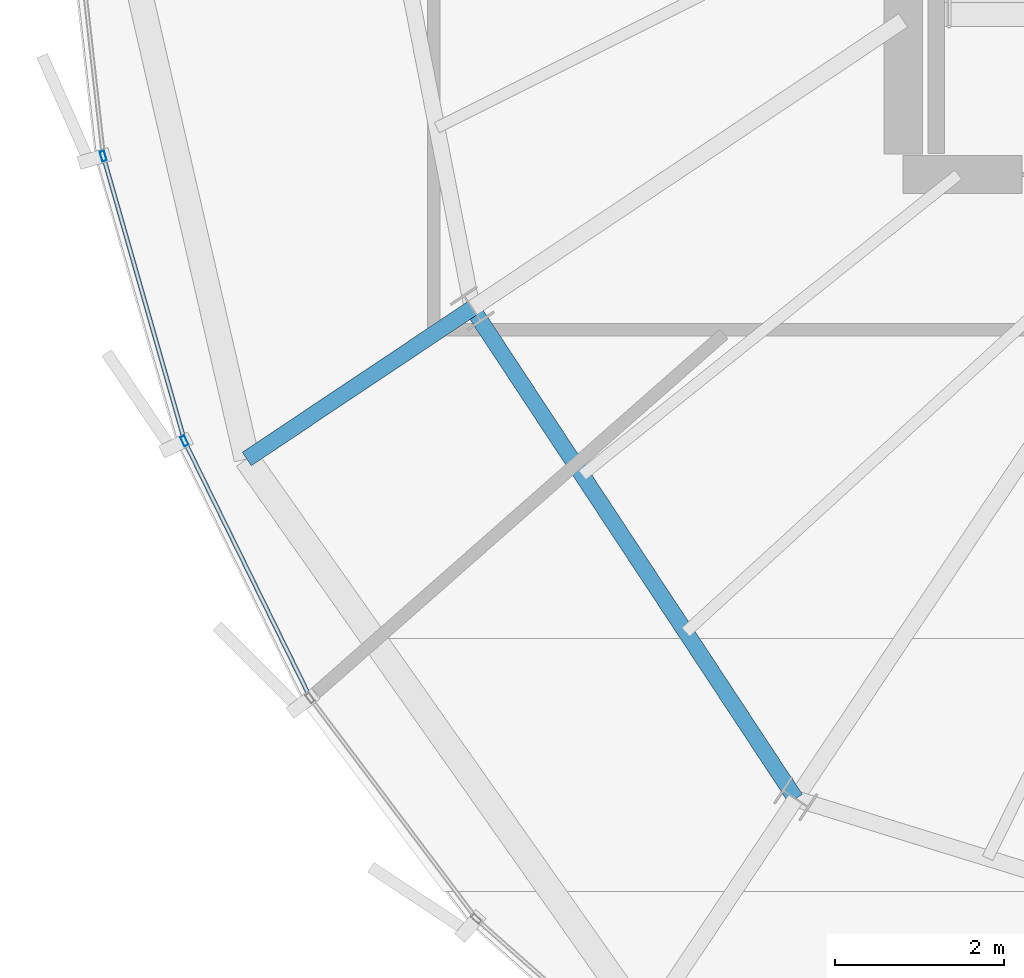
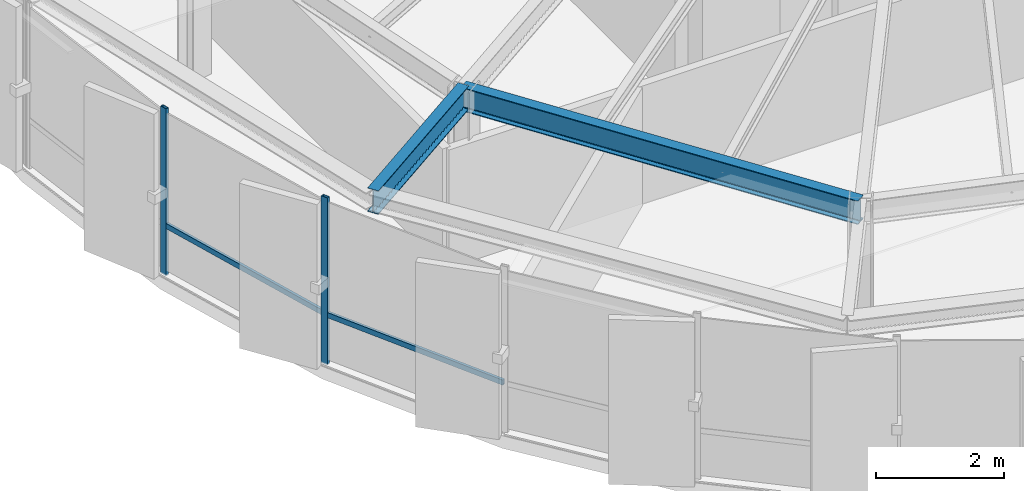
# One storey, part 4 of 31: 4 members, 2 beams, 1 element without a shape of its own.
"""IFC4 building model written with IfcOpenShell, lengths in metres."""

from ifc_helpers import new_model, si_unit, direction, frame, origin, origin_2d, place, context, subcontext, project, spatial, hollow_rectangle, i_section, extrude, source, transform, mapped, material, layer, layer_set, material_profile, profile_set, type_object, element, aggregate, save


model = new_model("IFC4")

# Units and contexts
model_context = context("Model", 3, precision=1e-05, world=origin(), true_north=direction((0.0, 1.0)))
body_context = subcontext(model_context, "Body", "Model", "MODEL_VIEW")
ifc_project = project(units=[si_unit("LENGTHUNIT", "METRE"), si_unit("AREAUNIT", "SQUARE_METRE"), si_unit("VOLUMEUNIT", "CUBIC_METRE"), si_unit("PLANEANGLEUNIT", "RADIAN"), si_unit("MASSUNIT", "GRAM", prefix="KILO"), si_unit("THERMODYNAMICTEMPERATUREUNIT", "KELVIN")], contexts=[model_context])

# Site, building, storey
site_placement = place(None, origin())
site = spatial("IfcSite", under=ifc_project, at=site_placement, CompositionType="ELEMENT")
building_placement = place(site_placement, origin())
building = spatial("IfcBuilding", under=site, at=building_placement, Name="Kethvar Cultural Tower", CompositionType="ELEMENT")
storey_placement = place(building_placement, frame((0.0, 0.0, 300.85009765625)))
storey = spatial("IfcBuildingStorey", under=building, at=storey_placement, Name="L80", CompositionType="ELEMENT", Elevation=300.85009765625)

# Beams
ifc_material_1 = material(Name="Steel S355J2", Category="steel")
ifc_material_profile_1 = material_profile(ifc_material_1, i_section(OverallWidth=0.18994140625, OverallDepth=0.449951171875, WebThickness=0.009521484375, FlangeThickness=0.0146484375, FilletRadius=0.02099609375, at=origin_2d()), Name="Steel S355J2 — IPE450")
ifc_profile_set_1 = profile_set([ifc_material_profile_1], Name="Steel S355J2 — IPE450")
beam_type = type_object("IfcBeamType", Name="BM-IPE450", PredefinedType="BEAM", material=ifc_profile_set_1)
shared_shape_1 = source(origin(), body_context, "Body", "SweptSolid", [
    extrude(i_section(OverallWidth=0.18994140625, OverallDepth=0.449951171875, WebThickness=0.009521484375, FlangeThickness=0.0146484375, FilletRadius=0.02099609375, at=origin_2d()), origin(), (0.0, 0.0, 1.0), 3.199951171875),
])
beam_1_placement = place(storey_placement, frame((32.912841796875, 18.52099609375, 2.9580078125), z_axis=(-0.831462943996, -0.555580212716, 0.0), x_axis=(0.555580212716, -0.831462943996, 0.0)))
element("IfcBeam", 1, at=beam_1_placement, inside=storey, type_object=beam_type, Name="L80 Perimeter Cantilever Beam RC-10", PredefinedType="BEAM", context=body_context, shape_type="MappedRepresentation", body=[
    mapped(shared_shape_1, transform((0.0, 0.0, 0.0), scale=1.0)),
])
shared_shape_2 = source(origin(), body_context, "Body", "SweptSolid", [
    extrude(i_section(OverallWidth=0.18994140625, OverallDepth=0.449951171875, WebThickness=0.009521484375, FlangeThickness=0.0146484375, FilletRadius=0.02099609375, at=origin_2d()), origin(), (0.0, 0.0, 1.0), 6.935791015625),
])
beam_2_placement = place(storey_placement, frame((32.912841796875, 18.52099609375, 2.9580078125), z_axis=(0.550534204139, -0.834812607759, 0.0), x_axis=(0.834812607759, 0.550534204139, 0.0)))
element("IfcBeam", 2, at=beam_2_placement, inside=storey, type_object=beam_type, Name="L80 Column Ring Tie Beam CR-10", PredefinedType="BEAM", context=body_context, shape_type="MappedRepresentation", body=[
    mapped(shared_shape_2, transform((0.0, 0.0, 0.0), scale=1.0)),
])

# Curtain wall, members
ifc_material_2 = material(Name="Aluminium 6063-T6", Category="aluminium")
ifc_layer = layer(ifc_material_2, 0.179931640625, Name="Aluminium 6063-T6", Category="aluminium")
ifc_layer_set = layer_set([ifc_layer], Name="Aluminium 6063-T6 (180 mm)")
curtain_wall_type = type_object("IfcCurtainWallType", Name="CW-SYS-05-Z56", PredefinedType="NOTDEFINED", material=ifc_layer_set)
curtain_wall_placement = place(storey_placement, origin())
curtain_wall = element("IfcCurtainWall", 3, at=curtain_wall_placement, inside=storey, type_object=curtain_wall_type, Name="L80 Curtain Wall Run 03", PredefinedType="NOTDEFINED")
ifc_material_profile_2 = material_profile(ifc_material_2, hollow_rectangle(XDim=0.054931640625, YDim=0.1201171875, WallThickness=0.00390625, at=origin_2d()), Name="Aluminium 6063-T6 — RHS120x55x4")
ifc_profile_set_2 = profile_set([ifc_material_profile_2], Name="Aluminium 6063-T6 — RHS120x55x4")
member_type_1 = type_object("IfcMemberType", Name="CW-SYS-05-Z56-MUL", PredefinedType="MULLION", material=ifc_profile_set_2)
shared_shape_3 = source(origin(), body_context, "Body", "SweptSolid", [
    extrude(hollow_rectangle(XDim=0.054931640625, YDim=0.1201171875, WallThickness=0.00390625, at=origin_2d()), origin(), (0.0, 0.0, 1.0), 3.184814453125),
])
member_1_placement = place(storey_placement, frame((28.55712890625, 20.318115234375, 0.0), z_axis=(0.0, 0.0, 1.0), x_axis=(0.961535434638, 0.274680920226, 0.0)))
member_1 = element("IfcMember", 4, at=member_1_placement, type_object=member_type_1, Name="CW-L80-R03 Mullion 2", PredefinedType="MULLION", context=body_context, shape_type="MappedRepresentation", body=[
    mapped(shared_shape_3, transform((0.0, 0.0, 0.0), scale=1.0)),
])
member_2_placement = place(storey_placement, frame((29.51611328125, 16.955078125, 0.0), z_axis=(0.0, 0.0, 1.0), x_axis=(0.898035254011, 0.439923496251, 0.0)))
member_2 = element("IfcMember", 5, at=member_2_placement, type_object=member_type_1, Name="CW-L80-R03 Mullion 3", PredefinedType="MULLION", context=body_context, shape_type="MappedRepresentation", body=[
    mapped(shared_shape_3, transform((0.0, 0.0, 0.0), scale=1.0)),
])
ifc_material_profile_3 = material_profile(ifc_material_2, hollow_rectangle(XDim=0.050048828125, YDim=0.10009765625, WallThickness=0.00390625, at=origin_2d()), Name="Aluminium 6063-T6 — RHS100x50x4")
ifc_profile_set_3 = profile_set([ifc_material_profile_3], Name="Aluminium 6063-T6 — RHS100x50x4")
member_type_2 = type_object("IfcMemberType", Name="CW-SYS-05-Z56-TRN", PredefinedType="USERDEFINED", material=ifc_profile_set_3)
shared_shape_4 = source(origin(), body_context, "Body", "SweptSolid", [
    extrude(hollow_rectangle(XDim=0.050048828125, YDim=0.10009765625, WallThickness=0.00390625, at=origin_2d()), origin(), (0.0, 0.0, 1.0), 3.435302734375),
])
member_3_placement = place(storey_placement, frame((28.56787109375, 20.280029296875, 0.949951171875), z_axis=(0.27473989991, -0.96151858401, 0.0), x_axis=(0.96151858401, 0.27473989991, 0.0)))
member_3 = element("IfcMember", 6, at=member_3_placement, type_object=member_type_2, Name="CW-L80-R03 Transom 2", ObjectType="TRANSOM", PredefinedType="USERDEFINED", context=body_context, shape_type="MappedRepresentation", body=[
    mapped(shared_shape_4, transform((0.0, 0.0, 0.0), scale=1.0)),
])
shared_shape_5 = source(origin(), body_context, "Body", "SweptSolid", [
    extrude(hollow_rectangle(XDim=0.050048828125, YDim=0.10009765625, WallThickness=0.00390625, at=origin_2d()), origin(), (0.0, 0.0, 1.0), 3.315673828125),
])
member_4_placement = place(storey_placement, frame((29.533447265625, 16.919677734375, 0.949951171875), z_axis=(0.439953495519, -0.898020557549, 0.0), x_axis=(0.898020557549, 0.439953495519, 0.0)))
member_4 = element("IfcMember", 7, at=member_4_placement, type_object=member_type_2, Name="CW-L80-R03 Transom 3", ObjectType="TRANSOM", PredefinedType="USERDEFINED", context=body_context, shape_type="MappedRepresentation", body=[
    mapped(shared_shape_5, transform((0.0, 0.0, 0.0), scale=1.0)),
])
aggregate(curtain_wall, [member_1, member_2, member_3, member_4])

save(model, "model.ifc")
